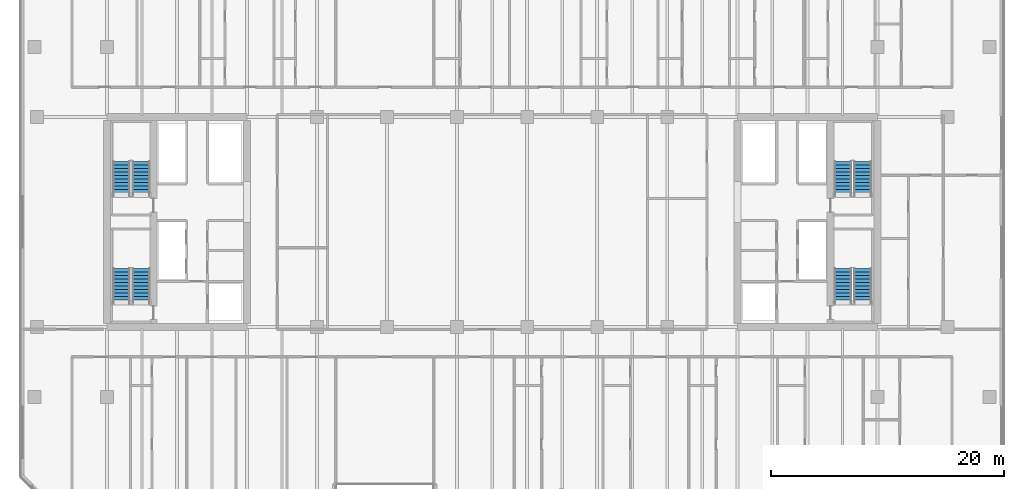
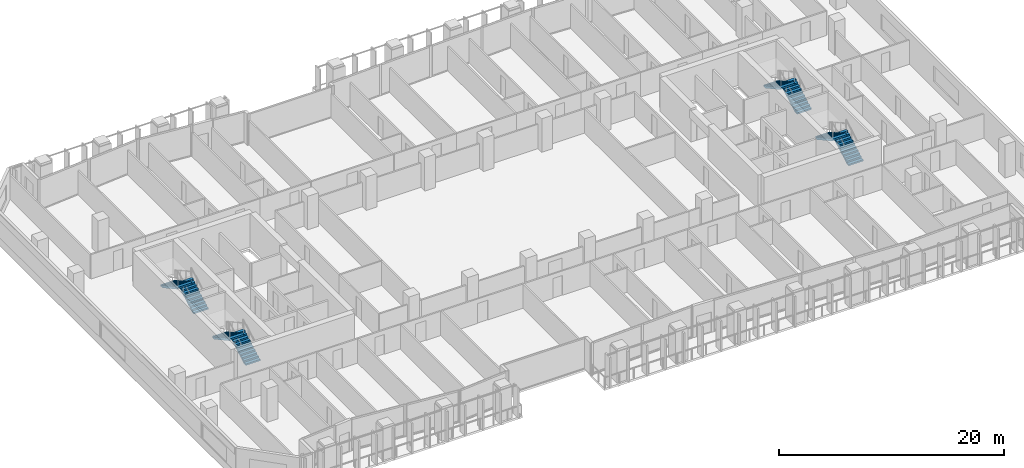
# One storey, part 25 of 31: 8 stair flights, 4 elements without a shape of their own.
"""IFC4 building model written with IfcOpenShell, lengths in metres."""

from ifc_helpers import new_model, si_unit, direction, frame, origin, place, context, subcontext, project, spatial, polyline, outline, extrude, material, type_object, element, aggregate, save


model = new_model("IFC4")

# Units and contexts
model_context = context("Model", 3, precision=1e-05, world=origin(), true_north=direction((0.0, 1.0)))
body_context = subcontext(model_context, "Body", "Model", "MODEL_VIEW")
ifc_project = project(units=[si_unit("LENGTHUNIT", "METRE"), si_unit("AREAUNIT", "SQUARE_METRE"), si_unit("VOLUMEUNIT", "CUBIC_METRE"), si_unit("PLANEANGLEUNIT", "RADIAN"), si_unit("MASSUNIT", "GRAM", prefix="KILO")], contexts=[model_context])

# Site, building, storey
site_placement = place(None, origin())
site = spatial("IfcSite", under=ifc_project, at=site_placement, CompositionType="ELEMENT")
building_placement = place(site_placement, origin())
building = spatial("IfcBuilding", under=site, at=building_placement, Name="Tanjung Sevakor Pilgrim Tower", CompositionType="ELEMENT")
storey_placement = place(building_placement, frame((0.0, 0.0, 58.739990234375)))
storey = spatial("IfcBuildingStorey", under=building, at=storey_placement, Name="L16", CompositionType="ELEMENT", Elevation=58.739990234375)

# Stair, stair flights
ifc_material_1 = material(Name="Concrete C40/50", Category="concrete")
stair_type = type_object("IfcStairType", Name="STAIR-ST-CR150", PredefinedType="HALF_TURN_STAIR", material=ifc_material_1)
stair_1_placement = place(storey_placement, origin())
stair_1 = element("IfcStair", 1, at=stair_1_placement, inside=storey, type_object=stair_type, Name="L16 West Core Exit Stair 1", PredefinedType="HALF_TURN_STAIR")
ifc_material_2 = material(Name="Concrete C40/50", Category="concrete")
stair_flight_type = type_object("IfcStairFlightType", Name="FLIGHT-ST-CR150", PredefinedType="STRAIGHT", material=ifc_material_2)
stair_flight_1_placement = place(storey_placement, frame((26.949951171875, 26.60009765625, 0.0), z_axis=(0.0, 0.0, 1.0), x_axis=(0.0, 1.0, 0.0)))
stair_flight_1 = element("IfcStairFlight", 2, at=stair_flight_1_placement, type_object=stair_flight_type, Name="TS-W1 flight 1", NumberOfRisers=11, NumberOfTreads=10, PredefinedType="STRAIGHT", RiserHeight=0.165, TreadLength=0.3, context=body_context, shape_type="SweptSolid", body=[
    extrude(outline(polyline([(0.0, 0.0), (0.0, 0.1650390625), (0.300048828125, 0.1650390625), (0.300048828125, 0.330078125), (0.60009765625, 0.330078125), (0.60009765625, 0.4951171875), (0.89990234375, 0.4951171875), (0.89990234375, 0.659912109375), (1.199951171875, 0.659912109375), (1.199951171875, 0.824951171875), (1.5, 0.824951171875), (1.5, 0.989990234375), (1.800048828125, 0.989990234375), (1.800048828125, 1.155029296875), (2.10009765625, 1.155029296875), (2.10009765625, 1.320068359375), (2.39990234375, 1.320068359375), (2.39990234375, 1.485107421875), (2.699951171875, 1.485107421875), (2.699951171875, 1.64990234375), (3.0, 1.64990234375), (3.0, 1.81494140625), (3.0, 1.467529296875), (0.331787109375, 0.0), (0.0, 0.0)])), frame((0.0, 0.75, 0.0), z_axis=(0.0, -1.0, 0.0), x_axis=(1.0, 0.0, 0.0)), (0.0, 0.0, 1.0), 1.5),
])
stair_flight_2_placement = place(storey_placement, frame((25.25, 29.60009765625, 1.81494140625), z_axis=(0.0, 0.0, 1.0), x_axis=(0.0, -1.0, 0.0)))
stair_flight_2 = element("IfcStairFlight", 3, at=stair_flight_2_placement, type_object=stair_flight_type, Name="TS-W1 flight 2", NumberOfRisers=11, NumberOfTreads=10, PredefinedType="STRAIGHT", RiserHeight=0.165, TreadLength=0.3, context=body_context, shape_type="SweptSolid", body=[
    extrude(outline(polyline([(0.0, 0.0), (0.0, 0.1650390625), (0.300048828125, 0.1650390625), (0.300048828125, 0.330078125), (0.60009765625, 0.330078125), (0.60009765625, 0.4951171875), (0.89990234375, 0.4951171875), (0.89990234375, 0.659912109375), (1.199951171875, 0.659912109375), (1.199951171875, 0.824951171875), (1.5, 0.824951171875), (1.5, 0.989990234375), (1.800048828125, 0.989990234375), (1.800048828125, 1.155029296875), (2.10009765625, 1.155029296875), (2.10009765625, 1.320068359375), (2.39990234375, 1.320068359375), (2.39990234375, 1.485107421875), (2.699951171875, 1.485107421875), (2.699951171875, 1.64990234375), (3.0, 1.64990234375), (3.0, 1.81494140625), (3.0, 1.467529296875), (0.331787109375, 0.0), (0.0, 0.0)])), frame((0.0, 0.75, 0.0), z_axis=(0.0, -1.0, 0.0), x_axis=(1.0, 0.0, 0.0)), (0.0, 0.0, 1.0), 1.5),
])
aggregate(stair_1, [stair_flight_1, stair_flight_2])

stair_2_placement = place(storey_placement, origin())
stair_2 = element("IfcStair", 4, at=stair_2_placement, inside=storey, type_object=stair_type, Name="L16 West Core Exit Stair 2", PredefinedType="HALF_TURN_STAIR")
stair_flight_3_placement = place(storey_placement, frame((26.949951171875, 35.800048828125, 0.0), z_axis=(0.0, 0.0, 1.0), x_axis=(0.0, 1.0, 0.0)))
stair_flight_3 = element("IfcStairFlight", 5, at=stair_flight_3_placement, type_object=stair_flight_type, Name="TS-W2 flight 1", NumberOfRisers=11, NumberOfTreads=10, PredefinedType="STRAIGHT", RiserHeight=0.165, TreadLength=0.3, context=body_context, shape_type="SweptSolid", body=[
    extrude(outline(polyline([(0.0, 0.0), (0.0, 0.1650390625), (0.300048828125, 0.1650390625), (0.300048828125, 0.330078125), (0.60009765625, 0.330078125), (0.60009765625, 0.4951171875), (0.89990234375, 0.4951171875), (0.89990234375, 0.659912109375), (1.199951171875, 0.659912109375), (1.199951171875, 0.824951171875), (1.5, 0.824951171875), (1.5, 0.989990234375), (1.800048828125, 0.989990234375), (1.800048828125, 1.155029296875), (2.10009765625, 1.155029296875), (2.10009765625, 1.320068359375), (2.39990234375, 1.320068359375), (2.39990234375, 1.485107421875), (2.699951171875, 1.485107421875), (2.699951171875, 1.64990234375), (3.0, 1.64990234375), (3.0, 1.81494140625), (3.0, 1.467529296875), (0.331787109375, 0.0), (0.0, 0.0)])), frame((0.0, 0.75, 0.0), z_axis=(0.0, -1.0, 0.0), x_axis=(1.0, 0.0, 0.0)), (0.0, 0.0, 1.0), 1.5),
])
stair_flight_4_placement = place(storey_placement, frame((25.25, 38.800048828125, 1.81494140625), z_axis=(0.0, 0.0, 1.0), x_axis=(0.0, -1.0, 0.0)))
stair_flight_4 = element("IfcStairFlight", 6, at=stair_flight_4_placement, type_object=stair_flight_type, Name="TS-W2 flight 2", NumberOfRisers=11, NumberOfTreads=10, PredefinedType="STRAIGHT", RiserHeight=0.165, TreadLength=0.3, context=body_context, shape_type="SweptSolid", body=[
    extrude(outline(polyline([(0.0, 0.0), (0.0, 0.1650390625), (0.300048828125, 0.1650390625), (0.300048828125, 0.330078125), (0.60009765625, 0.330078125), (0.60009765625, 0.4951171875), (0.89990234375, 0.4951171875), (0.89990234375, 0.659912109375), (1.199951171875, 0.659912109375), (1.199951171875, 0.824951171875), (1.5, 0.824951171875), (1.5, 0.989990234375), (1.800048828125, 0.989990234375), (1.800048828125, 1.155029296875), (2.10009765625, 1.155029296875), (2.10009765625, 1.320068359375), (2.39990234375, 1.320068359375), (2.39990234375, 1.485107421875), (2.699951171875, 1.485107421875), (2.699951171875, 1.64990234375), (3.0, 1.64990234375), (3.0, 1.81494140625), (3.0, 1.467529296875), (0.331787109375, 0.0), (0.0, 0.0)])), frame((0.0, 0.75, 0.0), z_axis=(0.0, -1.0, 0.0), x_axis=(1.0, 0.0, 0.0)), (0.0, 0.0, 1.0), 1.5),
])
aggregate(stair_2, [stair_flight_3, stair_flight_4])

stair_3_placement = place(storey_placement, origin())
stair_3 = element("IfcStair", 7, at=stair_3_placement, inside=storey, type_object=stair_type, Name="L16 East Core Exit Stair 1", PredefinedType="HALF_TURN_STAIR")
stair_flight_5_placement = place(storey_placement, frame((88.75, 26.60009765625, 0.0), z_axis=(0.0, 0.0, 1.0), x_axis=(0.0, 1.0, 0.0)))
stair_flight_5 = element("IfcStairFlight", 8, at=stair_flight_5_placement, type_object=stair_flight_type, Name="TS-E1 flight 1", NumberOfRisers=11, NumberOfTreads=10, PredefinedType="STRAIGHT", RiserHeight=0.165, TreadLength=0.3, context=body_context, shape_type="SweptSolid", body=[
    extrude(outline(polyline([(0.0, 0.0), (0.0, 0.1650390625), (0.300048828125, 0.1650390625), (0.300048828125, 0.330078125), (0.60009765625, 0.330078125), (0.60009765625, 0.4951171875), (0.89990234375, 0.4951171875), (0.89990234375, 0.659912109375), (1.199951171875, 0.659912109375), (1.199951171875, 0.824951171875), (1.5, 0.824951171875), (1.5, 0.989990234375), (1.800048828125, 0.989990234375), (1.800048828125, 1.155029296875), (2.10009765625, 1.155029296875), (2.10009765625, 1.320068359375), (2.39990234375, 1.320068359375), (2.39990234375, 1.485107421875), (2.699951171875, 1.485107421875), (2.699951171875, 1.64990234375), (3.0, 1.64990234375), (3.0, 1.81494140625), (3.0, 1.467529296875), (0.331787109375, 0.0), (0.0, 0.0)])), frame((0.0, 0.75, 0.0), z_axis=(0.0, -1.0, 0.0), x_axis=(1.0, 0.0, 0.0)), (0.0, 0.0, 1.0), 1.5),
])
stair_flight_6_placement = place(storey_placement, frame((87.050048828125, 29.60009765625, 1.81494140625), z_axis=(0.0, 0.0, 1.0), x_axis=(0.0, -1.0, 0.0)))
stair_flight_6 = element("IfcStairFlight", 9, at=stair_flight_6_placement, type_object=stair_flight_type, Name="TS-E1 flight 2", NumberOfRisers=11, NumberOfTreads=10, PredefinedType="STRAIGHT", RiserHeight=0.165, TreadLength=0.3, context=body_context, shape_type="SweptSolid", body=[
    extrude(outline(polyline([(0.0, 0.0), (0.0, 0.1650390625), (0.300048828125, 0.1650390625), (0.300048828125, 0.330078125), (0.60009765625, 0.330078125), (0.60009765625, 0.4951171875), (0.89990234375, 0.4951171875), (0.89990234375, 0.659912109375), (1.199951171875, 0.659912109375), (1.199951171875, 0.824951171875), (1.5, 0.824951171875), (1.5, 0.989990234375), (1.800048828125, 0.989990234375), (1.800048828125, 1.155029296875), (2.10009765625, 1.155029296875), (2.10009765625, 1.320068359375), (2.39990234375, 1.320068359375), (2.39990234375, 1.485107421875), (2.699951171875, 1.485107421875), (2.699951171875, 1.64990234375), (3.0, 1.64990234375), (3.0, 1.81494140625), (3.0, 1.467529296875), (0.331787109375, 0.0), (0.0, 0.0)])), frame((0.0, 0.75, 0.0), z_axis=(0.0, -1.0, 0.0), x_axis=(1.0, 0.0, 0.0)), (0.0, 0.0, 1.0), 1.5),
])
aggregate(stair_3, [stair_flight_5, stair_flight_6])

stair_4_placement = place(storey_placement, origin())
stair_4 = element("IfcStair", 10, at=stair_4_placement, inside=storey, type_object=stair_type, Name="L16 East Core Exit Stair 2", PredefinedType="HALF_TURN_STAIR")
stair_flight_7_placement = place(storey_placement, frame((88.75, 35.800048828125, 0.0), z_axis=(0.0, 0.0, 1.0), x_axis=(0.0, 1.0, 0.0)))
stair_flight_7 = element("IfcStairFlight", 11, at=stair_flight_7_placement, type_object=stair_flight_type, Name="TS-E2 flight 1", NumberOfRisers=11, NumberOfTreads=10, PredefinedType="STRAIGHT", RiserHeight=0.165, TreadLength=0.3, context=body_context, shape_type="SweptSolid", body=[
    extrude(outline(polyline([(0.0, 0.0), (0.0, 0.1650390625), (0.300048828125, 0.1650390625), (0.300048828125, 0.330078125), (0.60009765625, 0.330078125), (0.60009765625, 0.4951171875), (0.89990234375, 0.4951171875), (0.89990234375, 0.659912109375), (1.199951171875, 0.659912109375), (1.199951171875, 0.824951171875), (1.5, 0.824951171875), (1.5, 0.989990234375), (1.800048828125, 0.989990234375), (1.800048828125, 1.155029296875), (2.10009765625, 1.155029296875), (2.10009765625, 1.320068359375), (2.39990234375, 1.320068359375), (2.39990234375, 1.485107421875), (2.699951171875, 1.485107421875), (2.699951171875, 1.64990234375), (3.0, 1.64990234375), (3.0, 1.81494140625), (3.0, 1.467529296875), (0.331787109375, 0.0), (0.0, 0.0)])), frame((0.0, 0.75, 0.0), z_axis=(0.0, -1.0, 0.0), x_axis=(1.0, 0.0, 0.0)), (0.0, 0.0, 1.0), 1.5),
])
stair_flight_8_placement = place(storey_placement, frame((87.050048828125, 38.800048828125, 1.81494140625), z_axis=(0.0, 0.0, 1.0), x_axis=(0.0, -1.0, 0.0)))
stair_flight_8 = element("IfcStairFlight", 12, at=stair_flight_8_placement, type_object=stair_flight_type, Name="TS-E2 flight 2", NumberOfRisers=11, NumberOfTreads=10, PredefinedType="STRAIGHT", RiserHeight=0.165, TreadLength=0.3, context=body_context, shape_type="SweptSolid", body=[
    extrude(outline(polyline([(0.0, 0.0), (0.0, 0.1650390625), (0.300048828125, 0.1650390625), (0.300048828125, 0.330078125), (0.60009765625, 0.330078125), (0.60009765625, 0.4951171875), (0.89990234375, 0.4951171875), (0.89990234375, 0.659912109375), (1.199951171875, 0.659912109375), (1.199951171875, 0.824951171875), (1.5, 0.824951171875), (1.5, 0.989990234375), (1.800048828125, 0.989990234375), (1.800048828125, 1.155029296875), (2.10009765625, 1.155029296875), (2.10009765625, 1.320068359375), (2.39990234375, 1.320068359375), (2.39990234375, 1.485107421875), (2.699951171875, 1.485107421875), (2.699951171875, 1.64990234375), (3.0, 1.64990234375), (3.0, 1.81494140625), (3.0, 1.467529296875), (0.331787109375, 0.0), (0.0, 0.0)])), frame((0.0, 0.75, 0.0), z_axis=(0.0, -1.0, 0.0), x_axis=(1.0, 0.0, 0.0)), (0.0, 0.0, 1.0), 1.5),
])
aggregate(stair_4, [stair_flight_7, stair_flight_8])

save(model, "model.ifc")
